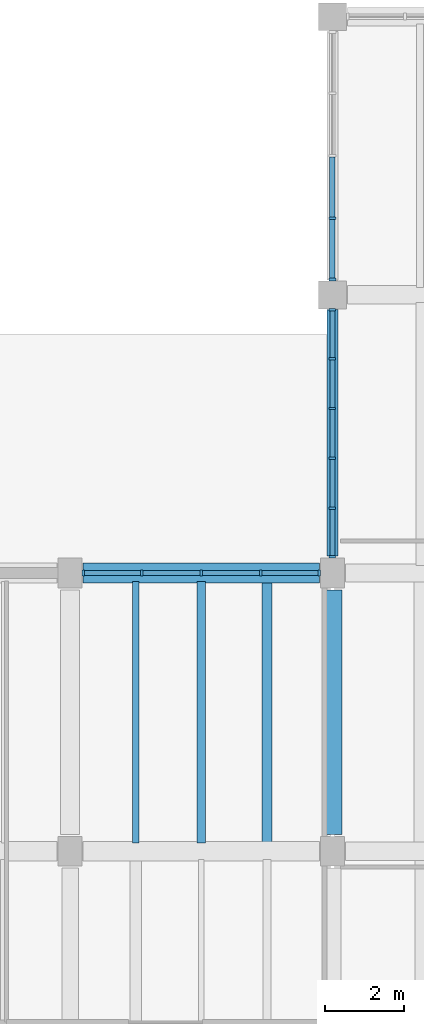
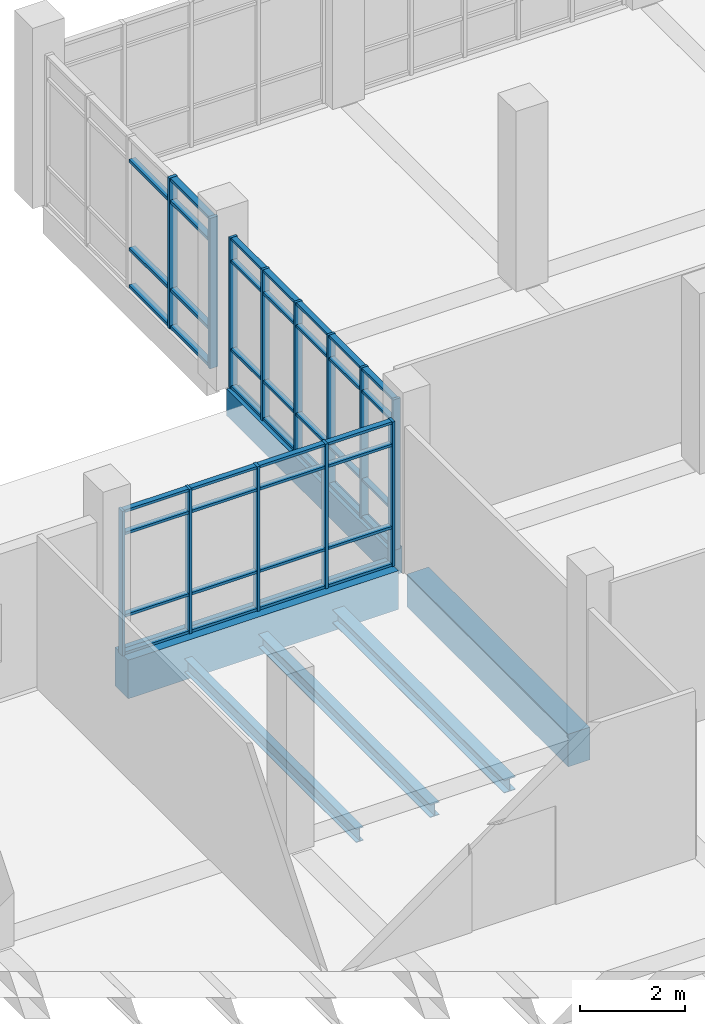
# One storey, part 6 of 69: 56 members, 6 beams, 3 elements without a shape of their own.
"""IFC4 building model written with IfcOpenShell, lengths in metres."""

from ifc_helpers import new_model, si_unit, direction, frame, origin, origin_2d, place, context, subcontext, project, spatial, rectangle, i_section, extrude, material, material_profile, profile_set, type_object, element, aggregate, save


model = new_model("IFC4")

# Units and contexts
model_context = context("Model", 3, precision=1e-05, world=origin(), true_north=direction((0.0, 1.0)))
body_context = subcontext(model_context, "Body", "Model", "MODEL_VIEW")
ifc_project = project(units=[si_unit("LENGTHUNIT", "METRE"), si_unit("AREAUNIT", "SQUARE_METRE"), si_unit("VOLUMEUNIT", "CUBIC_METRE"), si_unit("PLANEANGLEUNIT", "RADIAN"), si_unit("MASSUNIT", "GRAM", prefix="KILO")], contexts=[model_context])

# Site, building, storey
site_placement = place(None, origin())
site = spatial("IfcSite", under=ifc_project, at=site_placement, CompositionType="ELEMENT")
building_placement = place(site_placement, origin())
building = spatial("IfcBuilding", under=site, at=building_placement, Name="Ciguamira Faculty of Natural Sciences", CompositionType="ELEMENT")
storey_placement = place(building_placement, origin())
storey = spatial("IfcBuildingStorey", under=building, at=storey_placement, Name="L00", CompositionType="ELEMENT", Elevation=0.0)

# Curtain wall, members
ifc_material_1 = material(Name="Anodized aluminium curtain wall", Category="aluminium")
curtain_wall_type_1 = type_object("IfcCurtainWallType", Name="CurtainWall_CW-04", PredefinedType="USERDEFINED", material=ifc_material_1)
curtain_wall_1_placement = place(storey_placement, origin())
curtain_wall_1 = element("IfcCurtainWall", 1, at=curtain_wall_1_placement, inside=storey, type_object=curtain_wall_type_1, Name="L00 unitised curtain wall 0004", ObjectType="UNITISED CURTAIN WALL", PredefinedType="USERDEFINED")
ifc_material_2 = material(Name="Anodized aluminium mullion", Category="aluminium")
ifc_material_profile_1 = material_profile(ifc_material_2, rectangle(XDim=0.06005859375, YDim=0.159912109375, at=origin_2d()), Name="ALU-MUL-60X160")
ifc_profile_set_1 = profile_set([ifc_material_profile_1], Name="Anodized aluminium mullion")
member_type_1 = type_object("IfcMemberType", Name="CWMullion_CWM-01", PredefinedType="MULLION", material=ifc_profile_set_1)
member_1_placement = place(storey_placement, frame((44.429931640625, 24.0, 0.0), z_axis=(0.0, 0.0, 1.0), x_axis=(1.0, 0.0, 0.0)))
member_1 = element("IfcMember", 2, at=member_1_placement, type_object=member_type_1, Name="CW-04 mullion 1", PredefinedType="MULLION", context=body_context, shape_type="SweptSolid", body=[
    extrude(rectangle(XDim=0.06005859375, YDim=0.159912109375, at=origin_2d()), origin(), (0.0, 0.0, 1.0), 3.364990234375),
])
member_2_placement = place(storey_placement, frame((45.89990234375, 24.0, 0.0), z_axis=(0.0, 0.0, 1.0), x_axis=(1.0, 0.0, 0.0)))
member_2 = element("IfcMember", 3, at=member_2_placement, type_object=member_type_1, Name="CW-04 mullion 2", PredefinedType="MULLION", context=body_context, shape_type="SweptSolid", body=[
    extrude(rectangle(XDim=0.06005859375, YDim=0.159912109375, at=origin_2d()), origin(), (0.0, 0.0, 1.0), 3.364990234375),
])
member_3_placement = place(storey_placement, frame((47.39990234375, 24.0, 0.0), z_axis=(0.0, 0.0, 1.0), x_axis=(1.0, 0.0, 0.0)))
member_3 = element("IfcMember", 4, at=member_3_placement, type_object=member_type_1, Name="CW-04 mullion 3", PredefinedType="MULLION", context=body_context, shape_type="SweptSolid", body=[
    extrude(rectangle(XDim=0.06005859375, YDim=0.159912109375, at=origin_2d()), origin(), (0.0, 0.0, 1.0), 3.364990234375),
])
member_4_placement = place(storey_placement, frame((48.89990234375, 24.0, 0.0), z_axis=(0.0, 0.0, 1.0), x_axis=(1.0, 0.0, 0.0)))
member_4 = element("IfcMember", 5, at=member_4_placement, type_object=member_type_1, Name="CW-04 mullion 4", PredefinedType="MULLION", context=body_context, shape_type="SweptSolid", body=[
    extrude(rectangle(XDim=0.06005859375, YDim=0.159912109375, at=origin_2d()), origin(), (0.0, 0.0, 1.0), 3.364990234375),
])
member_5_placement = place(storey_placement, frame((50.3701171875, 24.0, 0.0), z_axis=(0.0, 0.0, 1.0), x_axis=(1.0, 0.0, 0.0)))
member_5 = element("IfcMember", 6, at=member_5_placement, type_object=member_type_1, Name="CW-04 mullion 5", PredefinedType="MULLION", context=body_context, shape_type="SweptSolid", body=[
    extrude(rectangle(XDim=0.06005859375, YDim=0.159912109375, at=origin_2d()), origin(), (0.0, 0.0, 1.0), 3.364990234375),
])

curtain_wall_type_2 = type_object("IfcCurtainWallType", Name="CurtainWall_CW-10", PredefinedType="USERDEFINED", material=ifc_material_1)
curtain_wall_2_placement = place(storey_placement, origin())
curtain_wall_2 = element("IfcCurtainWall", 7, at=curtain_wall_2_placement, inside=storey, type_object=curtain_wall_type_2, Name="L00 unitised curtain wall 0022", ObjectType="UNITISED CURTAIN WALL", PredefinedType="USERDEFINED")
member_6_placement = place(storey_placement, frame((50.699951171875, 24.405029296875, 0.0), z_axis=(0.0, 0.0, 1.0), x_axis=(0.0, 1.0, 0.0)))
member_6 = element("IfcMember", 8, at=member_6_placement, type_object=member_type_1, Name="CW-10 mullion 1", PredefinedType="MULLION", context=body_context, shape_type="SweptSolid", body=[
    extrude(rectangle(XDim=0.06005859375, YDim=0.159912109375, at=origin_2d()), origin(), (0.0, 0.0, 1.0), 3.5048828125),
])
member_7_placement = place(storey_placement, frame((50.699951171875, 25.6298828125, 0.0), z_axis=(0.0, 0.0, 1.0), x_axis=(0.0, 1.0, 0.0)))
member_7 = element("IfcMember", 9, at=member_7_placement, type_object=member_type_1, Name="CW-10 mullion 2", PredefinedType="MULLION", context=body_context, shape_type="SweptSolid", body=[
    extrude(rectangle(XDim=0.06005859375, YDim=0.159912109375, at=origin_2d()), origin(), (0.0, 0.0, 1.0), 3.5048828125),
])
member_8_placement = place(storey_placement, frame((50.699951171875, 26.885009765625, 0.0), z_axis=(0.0, 0.0, 1.0), x_axis=(0.0, 1.0, 0.0)))
member_8 = element("IfcMember", 10, at=member_8_placement, type_object=member_type_1, Name="CW-10 mullion 3", PredefinedType="MULLION", context=body_context, shape_type="SweptSolid", body=[
    extrude(rectangle(XDim=0.06005859375, YDim=0.159912109375, at=origin_2d()), origin(), (0.0, 0.0, 1.0), 3.5048828125),
])
member_9_placement = place(storey_placement, frame((50.699951171875, 28.139892578125, 0.0), z_axis=(0.0, 0.0, 1.0), x_axis=(0.0, 1.0, 0.0)))
member_9 = element("IfcMember", 11, at=member_9_placement, type_object=member_type_1, Name="CW-10 mullion 4", PredefinedType="MULLION", context=body_context, shape_type="SweptSolid", body=[
    extrude(rectangle(XDim=0.06005859375, YDim=0.159912109375, at=origin_2d()), origin(), (0.0, 0.0, 1.0), 3.5048828125),
])
member_10_placement = place(storey_placement, frame((50.699951171875, 29.39501953125, 0.0), z_axis=(0.0, 0.0, 1.0), x_axis=(0.0, 1.0, 0.0)))
member_10 = element("IfcMember", 12, at=member_10_placement, type_object=member_type_1, Name="CW-10 mullion 5", PredefinedType="MULLION", context=body_context, shape_type="SweptSolid", body=[
    extrude(rectangle(XDim=0.06005859375, YDim=0.159912109375, at=origin_2d()), origin(), (0.0, 0.0, 1.0), 3.5048828125),
])
member_11_placement = place(storey_placement, frame((50.699951171875, 30.6201171875, 0.0), z_axis=(0.0, 0.0, 1.0), x_axis=(0.0, 1.0, 0.0)))
member_11 = element("IfcMember", 13, at=member_11_placement, type_object=member_type_1, Name="CW-10 mullion 6", PredefinedType="MULLION", context=body_context, shape_type="SweptSolid", body=[
    extrude(rectangle(XDim=0.06005859375, YDim=0.159912109375, at=origin_2d()), origin(), (0.0, 0.0, 1.0), 3.5048828125),
])

curtain_wall_type_3 = type_object("IfcCurtainWallType", Name="CurtainWall_CW-11", PredefinedType="USERDEFINED", material=ifc_material_1)
curtain_wall_3_placement = place(storey_placement, origin())
curtain_wall_3 = element("IfcCurtainWall", 14, at=curtain_wall_3_placement, inside=storey, type_object=curtain_wall_type_3, Name="L00 unitised curtain wall 0023", ObjectType="UNITISED CURTAIN WALL", PredefinedType="USERDEFINED")
ifc_material_profile_2 = material_profile(ifc_material_2, rectangle(XDim=0.070068359375, YDim=0.179931640625, at=origin_2d()), Name="ALU-MUL-70X180")
ifc_profile_set_2 = profile_set([ifc_material_profile_2], Name="Anodized aluminium mullion")
member_type_2 = type_object("IfcMemberType", Name="CWMullion_CWM-02", PredefinedType="MULLION", material=ifc_profile_set_2)
member_12_placement = place(storey_placement, frame((50.699951171875, 31.385009765625, 0.0), z_axis=(0.0, 0.0, 1.0), x_axis=(0.0, 1.0, 0.0)))
member_12 = element("IfcMember", 15, at=member_12_placement, type_object=member_type_2, Name="CW-11 mullion 1", PredefinedType="MULLION", context=body_context, shape_type="SweptSolid", body=[
    extrude(rectangle(XDim=0.070068359375, YDim=0.179931640625, at=origin_2d()), origin(), (0.0, 0.0, 1.0), 3.5048828125),
])
member_13_placement = place(storey_placement, frame((50.699951171875, 32.925048828125, 0.0), z_axis=(0.0, 0.0, 1.0), x_axis=(0.0, 1.0, 0.0)))
member_13 = element("IfcMember", 16, at=member_13_placement, type_object=member_type_2, Name="CW-11 mullion 2", PredefinedType="MULLION", context=body_context, shape_type="SweptSolid", body=[
    extrude(rectangle(XDim=0.070068359375, YDim=0.179931640625, at=origin_2d()), origin(), (0.0, 0.0, 1.0), 3.5048828125),
])

# Member
ifc_material_3 = material(Name="Anodized aluminium transom", Category="aluminium")
ifc_material_profile_3 = material_profile(ifc_material_3, rectangle(XDim=0.06005859375, YDim=0.1201171875, at=origin_2d()), Name="ALU-TRN-60X120")
ifc_profile_set_3 = profile_set([ifc_material_profile_3], Name="Anodized aluminium transom")
member_type_3 = type_object("IfcMemberType", Name="CWTransom_CWT-01", PredefinedType="USERDEFINED", material=ifc_profile_set_3)
member_14_placement = place(storey_placement, frame((44.4599609375, 24.0, 0.030029296875), z_axis=(1.0, 0.0, 0.0), x_axis=(0.0, 0.0, 1.0)))
member_14 = element("IfcMember", 17, at=member_14_placement, type_object=member_type_3, Name="CW-04 transom 1.1", ObjectType="TRANSOM", PredefinedType="USERDEFINED", context=body_context, shape_type="SweptSolid", body=[
    extrude(rectangle(XDim=0.06005859375, YDim=0.1201171875, at=origin_2d()), origin(), (0.0, 0.0, 1.0), 1.41015625),
])

member_15_placement = place(storey_placement, frame((44.4599609375, 24.0, 0.89990234375), z_axis=(1.0, 0.0, 0.0), x_axis=(0.0, 0.0, 1.0)))
member_15 = element("IfcMember", 18, at=member_15_placement, type_object=member_type_3, Name="CW-04 transom 1.2", ObjectType="TRANSOM", PredefinedType="USERDEFINED", context=body_context, shape_type="SweptSolid", body=[
    extrude(rectangle(XDim=0.06005859375, YDim=0.1201171875, at=origin_2d()), origin(), (0.0, 0.0, 1.0), 1.41015625),
])

member_16_placement = place(storey_placement, frame((44.4599609375, 24.0, 2.81494140625), z_axis=(1.0, 0.0, 0.0), x_axis=(0.0, 0.0, 1.0)))
member_16 = element("IfcMember", 19, at=member_16_placement, type_object=member_type_3, Name="CW-04 transom 1.3", ObjectType="TRANSOM", PredefinedType="USERDEFINED", context=body_context, shape_type="SweptSolid", body=[
    extrude(rectangle(XDim=0.06005859375, YDim=0.1201171875, at=origin_2d()), origin(), (0.0, 0.0, 1.0), 1.41015625),
])

member_17_placement = place(storey_placement, frame((44.4599609375, 24.0, 3.3349609375), z_axis=(1.0, 0.0, 0.0), x_axis=(0.0, 0.0, 1.0)))
member_17 = element("IfcMember", 20, at=member_17_placement, type_object=member_type_3, Name="CW-04 transom 1.4", ObjectType="TRANSOM", PredefinedType="USERDEFINED", context=body_context, shape_type="SweptSolid", body=[
    extrude(rectangle(XDim=0.06005859375, YDim=0.1201171875, at=origin_2d()), origin(), (0.0, 0.0, 1.0), 1.41015625),
])

member_18_placement = place(storey_placement, frame((45.929931640625, 24.0, 0.030029296875), z_axis=(1.0, 0.0, 0.0), x_axis=(0.0, 0.0, 1.0)))
member_18 = element("IfcMember", 21, at=member_18_placement, type_object=member_type_3, Name="CW-04 transom 2.1", ObjectType="TRANSOM", PredefinedType="USERDEFINED", context=body_context, shape_type="SweptSolid", body=[
    extrude(rectangle(XDim=0.06005859375, YDim=0.1201171875, at=origin_2d()), origin(), (0.0, 0.0, 1.0), 1.440185546875),
])

member_19_placement = place(storey_placement, frame((45.929931640625, 24.0, 0.89990234375), z_axis=(1.0, 0.0, 0.0), x_axis=(0.0, 0.0, 1.0)))
member_19 = element("IfcMember", 22, at=member_19_placement, type_object=member_type_3, Name="CW-04 transom 2.2", ObjectType="TRANSOM", PredefinedType="USERDEFINED", context=body_context, shape_type="SweptSolid", body=[
    extrude(rectangle(XDim=0.06005859375, YDim=0.1201171875, at=origin_2d()), origin(), (0.0, 0.0, 1.0), 1.440185546875),
])

member_20_placement = place(storey_placement, frame((45.929931640625, 24.0, 2.81494140625), z_axis=(1.0, 0.0, 0.0), x_axis=(0.0, 0.0, 1.0)))
member_20 = element("IfcMember", 23, at=member_20_placement, type_object=member_type_3, Name="CW-04 transom 2.3", ObjectType="TRANSOM", PredefinedType="USERDEFINED", context=body_context, shape_type="SweptSolid", body=[
    extrude(rectangle(XDim=0.06005859375, YDim=0.1201171875, at=origin_2d()), origin(), (0.0, 0.0, 1.0), 1.440185546875),
])

member_21_placement = place(storey_placement, frame((45.929931640625, 24.0, 3.3349609375), z_axis=(1.0, 0.0, 0.0), x_axis=(0.0, 0.0, 1.0)))
member_21 = element("IfcMember", 24, at=member_21_placement, type_object=member_type_3, Name="CW-04 transom 2.4", ObjectType="TRANSOM", PredefinedType="USERDEFINED", context=body_context, shape_type="SweptSolid", body=[
    extrude(rectangle(XDim=0.06005859375, YDim=0.1201171875, at=origin_2d()), origin(), (0.0, 0.0, 1.0), 1.440185546875),
])

member_22_placement = place(storey_placement, frame((47.429931640625, 24.0, 0.030029296875), z_axis=(1.0, 0.0, 0.0), x_axis=(0.0, 0.0, 1.0)))
member_22 = element("IfcMember", 25, at=member_22_placement, type_object=member_type_3, Name="CW-04 transom 3.1", ObjectType="TRANSOM", PredefinedType="USERDEFINED", context=body_context, shape_type="SweptSolid", body=[
    extrude(rectangle(XDim=0.06005859375, YDim=0.1201171875, at=origin_2d()), origin(), (0.0, 0.0, 1.0), 1.440185546875),
])

member_23_placement = place(storey_placement, frame((47.429931640625, 24.0, 0.89990234375), z_axis=(1.0, 0.0, 0.0), x_axis=(0.0, 0.0, 1.0)))
member_23 = element("IfcMember", 26, at=member_23_placement, type_object=member_type_3, Name="CW-04 transom 3.2", ObjectType="TRANSOM", PredefinedType="USERDEFINED", context=body_context, shape_type="SweptSolid", body=[
    extrude(rectangle(XDim=0.06005859375, YDim=0.1201171875, at=origin_2d()), origin(), (0.0, 0.0, 1.0), 1.440185546875),
])

member_24_placement = place(storey_placement, frame((47.429931640625, 24.0, 2.81494140625), z_axis=(1.0, 0.0, 0.0), x_axis=(0.0, 0.0, 1.0)))
member_24 = element("IfcMember", 27, at=member_24_placement, type_object=member_type_3, Name="CW-04 transom 3.3", ObjectType="TRANSOM", PredefinedType="USERDEFINED", context=body_context, shape_type="SweptSolid", body=[
    extrude(rectangle(XDim=0.06005859375, YDim=0.1201171875, at=origin_2d()), origin(), (0.0, 0.0, 1.0), 1.440185546875),
])

member_25_placement = place(storey_placement, frame((47.429931640625, 24.0, 3.3349609375), z_axis=(1.0, 0.0, 0.0), x_axis=(0.0, 0.0, 1.0)))
member_25 = element("IfcMember", 28, at=member_25_placement, type_object=member_type_3, Name="CW-04 transom 3.4", ObjectType="TRANSOM", PredefinedType="USERDEFINED", context=body_context, shape_type="SweptSolid", body=[
    extrude(rectangle(XDim=0.06005859375, YDim=0.1201171875, at=origin_2d()), origin(), (0.0, 0.0, 1.0), 1.440185546875),
])

member_26_placement = place(storey_placement, frame((48.929931640625, 24.0, 0.030029296875), z_axis=(1.0, 0.0, 0.0), x_axis=(0.0, 0.0, 1.0)))
member_26 = element("IfcMember", 29, at=member_26_placement, type_object=member_type_3, Name="CW-04 transom 4.1", ObjectType="TRANSOM", PredefinedType="USERDEFINED", context=body_context, shape_type="SweptSolid", body=[
    extrude(rectangle(XDim=0.06005859375, YDim=0.1201171875, at=origin_2d()), origin(), (0.0, 0.0, 1.0), 1.41015625),
])

member_27_placement = place(storey_placement, frame((48.929931640625, 24.0, 0.89990234375), z_axis=(1.0, 0.0, 0.0), x_axis=(0.0, 0.0, 1.0)))
member_27 = element("IfcMember", 30, at=member_27_placement, type_object=member_type_3, Name="CW-04 transom 4.2", ObjectType="TRANSOM", PredefinedType="USERDEFINED", context=body_context, shape_type="SweptSolid", body=[
    extrude(rectangle(XDim=0.06005859375, YDim=0.1201171875, at=origin_2d()), origin(), (0.0, 0.0, 1.0), 1.41015625),
])

member_28_placement = place(storey_placement, frame((48.929931640625, 24.0, 2.81494140625), z_axis=(1.0, 0.0, 0.0), x_axis=(0.0, 0.0, 1.0)))
member_28 = element("IfcMember", 31, at=member_28_placement, type_object=member_type_3, Name="CW-04 transom 4.3", ObjectType="TRANSOM", PredefinedType="USERDEFINED", context=body_context, shape_type="SweptSolid", body=[
    extrude(rectangle(XDim=0.06005859375, YDim=0.1201171875, at=origin_2d()), origin(), (0.0, 0.0, 1.0), 1.41015625),
])

member_29_placement = place(storey_placement, frame((48.929931640625, 24.0, 3.3349609375), z_axis=(1.0, 0.0, 0.0), x_axis=(0.0, 0.0, 1.0)))
member_29 = element("IfcMember", 32, at=member_29_placement, type_object=member_type_3, Name="CW-04 transom 4.4", ObjectType="TRANSOM", PredefinedType="USERDEFINED", context=body_context, shape_type="SweptSolid", body=[
    extrude(rectangle(XDim=0.06005859375, YDim=0.1201171875, at=origin_2d()), origin(), (0.0, 0.0, 1.0), 1.41015625),
])

aggregate(curtain_wall_1, [member_1, member_2, member_3, member_4, member_5, member_14, member_15, member_16, member_17, member_18, member_19, member_20, member_21, member_22, member_23, member_24, member_25, member_26, member_27, member_28, member_29])

member_30_placement = place(storey_placement, frame((50.699951171875, 24.43505859375, 0.030029296875), z_axis=(0.0, 1.0, 0.0), x_axis=(0.0, 0.0, 1.0)))
member_30 = element("IfcMember", 33, at=member_30_placement, type_object=member_type_3, Name="CW-10 transom 1.1", ObjectType="TRANSOM", PredefinedType="USERDEFINED", context=body_context, shape_type="SweptSolid", body=[
    extrude(rectangle(XDim=0.06005859375, YDim=0.1201171875, at=origin_2d()), origin(), (0.0, 0.0, 1.0), 1.1650390625),
])

member_31_placement = place(storey_placement, frame((50.699951171875, 24.43505859375, 0.89990234375), z_axis=(0.0, 1.0, 0.0), x_axis=(0.0, 0.0, 1.0)))
member_31 = element("IfcMember", 34, at=member_31_placement, type_object=member_type_3, Name="CW-10 transom 1.2", ObjectType="TRANSOM", PredefinedType="USERDEFINED", context=body_context, shape_type="SweptSolid", body=[
    extrude(rectangle(XDim=0.06005859375, YDim=0.1201171875, at=origin_2d()), origin(), (0.0, 0.0, 1.0), 1.1650390625),
])

member_32_placement = place(storey_placement, frame((50.699951171875, 24.43505859375, 2.955078125), z_axis=(0.0, 1.0, 0.0), x_axis=(0.0, 0.0, 1.0)))
member_32 = element("IfcMember", 35, at=member_32_placement, type_object=member_type_3, Name="CW-10 transom 1.3", ObjectType="TRANSOM", PredefinedType="USERDEFINED", context=body_context, shape_type="SweptSolid", body=[
    extrude(rectangle(XDim=0.06005859375, YDim=0.1201171875, at=origin_2d()), origin(), (0.0, 0.0, 1.0), 1.1650390625),
])

member_33_placement = place(storey_placement, frame((50.699951171875, 24.43505859375, 3.47509765625), z_axis=(0.0, 1.0, 0.0), x_axis=(0.0, 0.0, 1.0)))
member_33 = element("IfcMember", 36, at=member_33_placement, type_object=member_type_3, Name="CW-10 transom 1.4", ObjectType="TRANSOM", PredefinedType="USERDEFINED", context=body_context, shape_type="SweptSolid", body=[
    extrude(rectangle(XDim=0.06005859375, YDim=0.1201171875, at=origin_2d()), origin(), (0.0, 0.0, 1.0), 1.1650390625),
])

member_34_placement = place(storey_placement, frame((50.699951171875, 25.659912109375, 0.030029296875), z_axis=(0.0, 1.0, 0.0), x_axis=(0.0, 0.0, 1.0)))
member_34 = element("IfcMember", 37, at=member_34_placement, type_object=member_type_3, Name="CW-10 transom 2.1", ObjectType="TRANSOM", PredefinedType="USERDEFINED", context=body_context, shape_type="SweptSolid", body=[
    extrude(rectangle(XDim=0.06005859375, YDim=0.1201171875, at=origin_2d()), origin(), (0.0, 0.0, 1.0), 1.195068359375),
])

member_35_placement = place(storey_placement, frame((50.699951171875, 25.659912109375, 0.89990234375), z_axis=(0.0, 1.0, 0.0), x_axis=(0.0, 0.0, 1.0)))
member_35 = element("IfcMember", 38, at=member_35_placement, type_object=member_type_3, Name="CW-10 transom 2.2", ObjectType="TRANSOM", PredefinedType="USERDEFINED", context=body_context, shape_type="SweptSolid", body=[
    extrude(rectangle(XDim=0.06005859375, YDim=0.1201171875, at=origin_2d()), origin(), (0.0, 0.0, 1.0), 1.195068359375),
])

member_36_placement = place(storey_placement, frame((50.699951171875, 25.659912109375, 2.955078125), z_axis=(0.0, 1.0, 0.0), x_axis=(0.0, 0.0, 1.0)))
member_36 = element("IfcMember", 39, at=member_36_placement, type_object=member_type_3, Name="CW-10 transom 2.3", ObjectType="TRANSOM", PredefinedType="USERDEFINED", context=body_context, shape_type="SweptSolid", body=[
    extrude(rectangle(XDim=0.06005859375, YDim=0.1201171875, at=origin_2d()), origin(), (0.0, 0.0, 1.0), 1.195068359375),
])

member_37_placement = place(storey_placement, frame((50.699951171875, 25.659912109375, 3.47509765625), z_axis=(0.0, 1.0, 0.0), x_axis=(0.0, 0.0, 1.0)))
member_37 = element("IfcMember", 40, at=member_37_placement, type_object=member_type_3, Name="CW-10 transom 2.4", ObjectType="TRANSOM", PredefinedType="USERDEFINED", context=body_context, shape_type="SweptSolid", body=[
    extrude(rectangle(XDim=0.06005859375, YDim=0.1201171875, at=origin_2d()), origin(), (0.0, 0.0, 1.0), 1.195068359375),
])

member_38_placement = place(storey_placement, frame((50.699951171875, 26.9150390625, 0.030029296875), z_axis=(0.0, 1.0, 0.0), x_axis=(0.0, 0.0, 1.0)))
member_38 = element("IfcMember", 41, at=member_38_placement, type_object=member_type_3, Name="CW-10 transom 3.1", ObjectType="TRANSOM", PredefinedType="USERDEFINED", context=body_context, shape_type="SweptSolid", body=[
    extrude(rectangle(XDim=0.06005859375, YDim=0.1201171875, at=origin_2d()), origin(), (0.0, 0.0, 1.0), 1.195068359375),
])

member_39_placement = place(storey_placement, frame((50.699951171875, 26.9150390625, 0.89990234375), z_axis=(0.0, 1.0, 0.0), x_axis=(0.0, 0.0, 1.0)))
member_39 = element("IfcMember", 42, at=member_39_placement, type_object=member_type_3, Name="CW-10 transom 3.2", ObjectType="TRANSOM", PredefinedType="USERDEFINED", context=body_context, shape_type="SweptSolid", body=[
    extrude(rectangle(XDim=0.06005859375, YDim=0.1201171875, at=origin_2d()), origin(), (0.0, 0.0, 1.0), 1.195068359375),
])

member_40_placement = place(storey_placement, frame((50.699951171875, 26.9150390625, 2.955078125), z_axis=(0.0, 1.0, 0.0), x_axis=(0.0, 0.0, 1.0)))
member_40 = element("IfcMember", 43, at=member_40_placement, type_object=member_type_3, Name="CW-10 transom 3.3", ObjectType="TRANSOM", PredefinedType="USERDEFINED", context=body_context, shape_type="SweptSolid", body=[
    extrude(rectangle(XDim=0.06005859375, YDim=0.1201171875, at=origin_2d()), origin(), (0.0, 0.0, 1.0), 1.195068359375),
])

member_41_placement = place(storey_placement, frame((50.699951171875, 26.9150390625, 3.47509765625), z_axis=(0.0, 1.0, 0.0), x_axis=(0.0, 0.0, 1.0)))
member_41 = element("IfcMember", 44, at=member_41_placement, type_object=member_type_3, Name="CW-10 transom 3.4", ObjectType="TRANSOM", PredefinedType="USERDEFINED", context=body_context, shape_type="SweptSolid", body=[
    extrude(rectangle(XDim=0.06005859375, YDim=0.1201171875, at=origin_2d()), origin(), (0.0, 0.0, 1.0), 1.195068359375),
])

member_42_placement = place(storey_placement, frame((50.699951171875, 28.169921875, 0.030029296875), z_axis=(0.0, 1.0, 0.0), x_axis=(0.0, 0.0, 1.0)))
member_42 = element("IfcMember", 45, at=member_42_placement, type_object=member_type_3, Name="CW-10 transom 4.1", ObjectType="TRANSOM", PredefinedType="USERDEFINED", context=body_context, shape_type="SweptSolid", body=[
    extrude(rectangle(XDim=0.06005859375, YDim=0.1201171875, at=origin_2d()), origin(), (0.0, 0.0, 1.0), 1.195068359375),
])

member_43_placement = place(storey_placement, frame((50.699951171875, 28.169921875, 0.89990234375), z_axis=(0.0, 1.0, 0.0), x_axis=(0.0, 0.0, 1.0)))
member_43 = element("IfcMember", 46, at=member_43_placement, type_object=member_type_3, Name="CW-10 transom 4.2", ObjectType="TRANSOM", PredefinedType="USERDEFINED", context=body_context, shape_type="SweptSolid", body=[
    extrude(rectangle(XDim=0.06005859375, YDim=0.1201171875, at=origin_2d()), origin(), (0.0, 0.0, 1.0), 1.195068359375),
])

member_44_placement = place(storey_placement, frame((50.699951171875, 28.169921875, 2.955078125), z_axis=(0.0, 1.0, 0.0), x_axis=(0.0, 0.0, 1.0)))
member_44 = element("IfcMember", 47, at=member_44_placement, type_object=member_type_3, Name="CW-10 transom 4.3", ObjectType="TRANSOM", PredefinedType="USERDEFINED", context=body_context, shape_type="SweptSolid", body=[
    extrude(rectangle(XDim=0.06005859375, YDim=0.1201171875, at=origin_2d()), origin(), (0.0, 0.0, 1.0), 1.195068359375),
])

member_45_placement = place(storey_placement, frame((50.699951171875, 28.169921875, 3.47509765625), z_axis=(0.0, 1.0, 0.0), x_axis=(0.0, 0.0, 1.0)))
member_45 = element("IfcMember", 48, at=member_45_placement, type_object=member_type_3, Name="CW-10 transom 4.4", ObjectType="TRANSOM", PredefinedType="USERDEFINED", context=body_context, shape_type="SweptSolid", body=[
    extrude(rectangle(XDim=0.06005859375, YDim=0.1201171875, at=origin_2d()), origin(), (0.0, 0.0, 1.0), 1.195068359375),
])

member_46_placement = place(storey_placement, frame((50.699951171875, 29.425048828125, 0.030029296875), z_axis=(0.0, 1.0, 0.0), x_axis=(0.0, 0.0, 1.0)))
member_46 = element("IfcMember", 49, at=member_46_placement, type_object=member_type_3, Name="CW-10 transom 5.1", ObjectType="TRANSOM", PredefinedType="USERDEFINED", context=body_context, shape_type="SweptSolid", body=[
    extrude(rectangle(XDim=0.06005859375, YDim=0.1201171875, at=origin_2d()), origin(), (0.0, 0.0, 1.0), 1.1650390625),
])

member_47_placement = place(storey_placement, frame((50.699951171875, 29.425048828125, 0.89990234375), z_axis=(0.0, 1.0, 0.0), x_axis=(0.0, 0.0, 1.0)))
member_47 = element("IfcMember", 50, at=member_47_placement, type_object=member_type_3, Name="CW-10 transom 5.2", ObjectType="TRANSOM", PredefinedType="USERDEFINED", context=body_context, shape_type="SweptSolid", body=[
    extrude(rectangle(XDim=0.06005859375, YDim=0.1201171875, at=origin_2d()), origin(), (0.0, 0.0, 1.0), 1.1650390625),
])

member_48_placement = place(storey_placement, frame((50.699951171875, 29.425048828125, 2.955078125), z_axis=(0.0, 1.0, 0.0), x_axis=(0.0, 0.0, 1.0)))
member_48 = element("IfcMember", 51, at=member_48_placement, type_object=member_type_3, Name="CW-10 transom 5.3", ObjectType="TRANSOM", PredefinedType="USERDEFINED", context=body_context, shape_type="SweptSolid", body=[
    extrude(rectangle(XDim=0.06005859375, YDim=0.1201171875, at=origin_2d()), origin(), (0.0, 0.0, 1.0), 1.1650390625),
])

member_49_placement = place(storey_placement, frame((50.699951171875, 29.425048828125, 3.47509765625), z_axis=(0.0, 1.0, 0.0), x_axis=(0.0, 0.0, 1.0)))
member_49 = element("IfcMember", 52, at=member_49_placement, type_object=member_type_3, Name="CW-10 transom 5.4", ObjectType="TRANSOM", PredefinedType="USERDEFINED", context=body_context, shape_type="SweptSolid", body=[
    extrude(rectangle(XDim=0.06005859375, YDim=0.1201171875, at=origin_2d()), origin(), (0.0, 0.0, 1.0), 1.1650390625),
])

aggregate(curtain_wall_2, [member_6, member_7, member_8, member_9, member_10, member_11, member_30, member_31, member_32, member_33, member_34, member_35, member_36, member_37, member_38, member_39, member_40, member_41, member_42, member_43, member_44, member_45, member_46, member_47, member_48, member_49])

ifc_material_profile_4 = material_profile(ifc_material_3, rectangle(XDim=0.070068359375, YDim=0.139892578125, at=origin_2d()), Name="ALU-TRN-70X140")
ifc_profile_set_4 = profile_set([ifc_material_profile_4], Name="Anodized aluminium transom")
member_type_4 = type_object("IfcMemberType", Name="CWTransom_CWT-02", PredefinedType="USERDEFINED", material=ifc_profile_set_4)
member_50_placement = place(storey_placement, frame((50.699951171875, 31.419921875, 0.034912109375), z_axis=(0.0, 1.0, 0.0), x_axis=(0.0, 0.0, 1.0)))
member_50 = element("IfcMember", 53, at=member_50_placement, type_object=member_type_4, Name="CW-11 transom 1.1", ObjectType="TRANSOM", PredefinedType="USERDEFINED", context=body_context, shape_type="SweptSolid", body=[
    extrude(rectangle(XDim=0.070068359375, YDim=0.139892578125, at=origin_2d()), origin(), (0.0, 0.0, 1.0), 1.469970703125),
])

member_51_placement = place(storey_placement, frame((50.699951171875, 31.419921875, 0.89990234375), z_axis=(0.0, 1.0, 0.0), x_axis=(0.0, 0.0, 1.0)))
member_51 = element("IfcMember", 54, at=member_51_placement, type_object=member_type_4, Name="CW-11 transom 1.2", ObjectType="TRANSOM", PredefinedType="USERDEFINED", context=body_context, shape_type="SweptSolid", body=[
    extrude(rectangle(XDim=0.070068359375, YDim=0.139892578125, at=origin_2d()), origin(), (0.0, 0.0, 1.0), 1.469970703125),
])

member_52_placement = place(storey_placement, frame((50.699951171875, 31.419921875, 2.955078125), z_axis=(0.0, 1.0, 0.0), x_axis=(0.0, 0.0, 1.0)))
member_52 = element("IfcMember", 55, at=member_52_placement, type_object=member_type_4, Name="CW-11 transom 1.3", ObjectType="TRANSOM", PredefinedType="USERDEFINED", context=body_context, shape_type="SweptSolid", body=[
    extrude(rectangle(XDim=0.070068359375, YDim=0.139892578125, at=origin_2d()), origin(), (0.0, 0.0, 1.0), 1.469970703125),
])

member_53_placement = place(storey_placement, frame((50.699951171875, 31.419921875, 3.469970703125), z_axis=(0.0, 1.0, 0.0), x_axis=(0.0, 0.0, 1.0)))
member_53 = element("IfcMember", 56, at=member_53_placement, type_object=member_type_4, Name="CW-11 transom 1.4", ObjectType="TRANSOM", PredefinedType="USERDEFINED", context=body_context, shape_type="SweptSolid", body=[
    extrude(rectangle(XDim=0.070068359375, YDim=0.139892578125, at=origin_2d()), origin(), (0.0, 0.0, 1.0), 1.469970703125),
])

member_54_placement = place(storey_placement, frame((50.699951171875, 32.9599609375, 0.034912109375), z_axis=(0.0, 1.0, 0.0), x_axis=(0.0, 0.0, 1.0)))
member_54 = element("IfcMember", 57, at=member_54_placement, type_object=member_type_4, Name="CW-11 transom 2.1", ObjectType="TRANSOM", PredefinedType="USERDEFINED", context=body_context, shape_type="SweptSolid", body=[
    extrude(rectangle(XDim=0.070068359375, YDim=0.139892578125, at=origin_2d()), origin(), (0.0, 0.0, 1.0), 1.505126953125),
])

member_55_placement = place(storey_placement, frame((50.699951171875, 32.9599609375, 0.89990234375), z_axis=(0.0, 1.0, 0.0), x_axis=(0.0, 0.0, 1.0)))
member_55 = element("IfcMember", 58, at=member_55_placement, type_object=member_type_4, Name="CW-11 transom 2.2", ObjectType="TRANSOM", PredefinedType="USERDEFINED", context=body_context, shape_type="SweptSolid", body=[
    extrude(rectangle(XDim=0.070068359375, YDim=0.139892578125, at=origin_2d()), origin(), (0.0, 0.0, 1.0), 1.505126953125),
])

member_56_placement = place(storey_placement, frame((50.699951171875, 32.9599609375, 2.955078125), z_axis=(0.0, 1.0, 0.0), x_axis=(0.0, 0.0, 1.0)))
member_56 = element("IfcMember", 59, at=member_56_placement, type_object=member_type_4, Name="CW-11 transom 2.3", ObjectType="TRANSOM", PredefinedType="USERDEFINED", context=body_context, shape_type="SweptSolid", body=[
    extrude(rectangle(XDim=0.070068359375, YDim=0.139892578125, at=origin_2d()), origin(), (0.0, 0.0, 1.0), 1.505126953125),
])

aggregate(curtain_wall_3, [member_12, member_13, member_50, member_51, member_52, member_53, member_54, member_55, member_56])

# Beams
ifc_material_4 = material(Name="Concrete C40/50", Category="concrete")
ifc_material_profile_5 = material_profile(ifc_material_4, rectangle(XDim=0.5, YDim=0.89990234375, at=origin_2d()), Name="RC-BM-500X900")
ifc_profile_set_5 = profile_set([ifc_material_profile_5], Name="Concrete C40/50")
beam_type_1 = type_object("IfcBeamType", Name="RCBeam_BG-03_RC-BM-500X900", PredefinedType="BEAM", material=ifc_profile_set_5)
beam_1_placement = place(storey_placement, frame((44.425048828125, 24.0, -0.449951171875), z_axis=(1.0, 0.0, 0.0), x_axis=(0.0, 1.0, 0.0)))
element("IfcBeam", 60, at=beam_1_placement, inside=storey, type_object=beam_type_1, Name="L00 RC girder EW-0064", PredefinedType="BEAM", context=body_context, shape_type="SweptSolid", body=[
    extrude(rectangle(XDim=0.5, YDim=0.89990234375, at=origin_2d()), origin(), (0.0, 0.0, 1.0), 5.949951171875),
])
ifc_material_5 = material(Name="Precast concrete C40/50", Category="concrete")
ifc_material_profile_6 = material_profile(ifc_material_5, rectangle(XDim=0.280029296875, YDim=0.6201171875, at=origin_2d()), Name="RC-SP-280X620")
ifc_profile_set_6 = profile_set([ifc_material_profile_6], Name="Precast concrete C40/50")
beam_type_2 = type_object("IfcBeamType", Name="RCBeam_SP-01_RC-SP-280X620", PredefinedType="SPANDREL", material=ifc_profile_set_6)
beam_2_placement = place(storey_placement, frame((50.699951171875, 24.425048828125, -0.31005859375), z_axis=(0.0, 1.0, 0.0), x_axis=(-1.0, 0.0, 0.0)))
element("IfcBeam", 61, at=beam_2_placement, inside=storey, type_object=beam_type_2, Name="L00 girder NS-0216", PredefinedType="SPANDREL", context=body_context, shape_type="SweptSolid", body=[
    extrude(rectangle(XDim=0.280029296875, YDim=0.6201171875, at=origin_2d()), origin(), (0.0, 0.0, 1.0), 6.199951171875),
])
ifc_material_profile_7 = material_profile(ifc_material_4, rectangle(XDim=0.47998046875, YDim=0.760009765625, at=origin_2d()), Name="RC-TB-480X760")
ifc_profile_set_7 = profile_set([ifc_material_profile_7], Name="Concrete C40/50")
beam_type_3 = type_object("IfcBeamType", Name="RCBeam_TB-01_RC-TB-480X760", PredefinedType="T_BEAM", material=ifc_profile_set_7)
beam_3_placement = place(storey_placement, frame((50.699951171875, 17.425048828125, -0.3798828125), z_axis=(0.0, 1.0, 0.0), x_axis=(-1.0, 0.0, 0.0)))
element("IfcBeam", 62, at=beam_3_placement, inside=storey, type_object=beam_type_3, Name="L00 girder NS-0215", PredefinedType="T_BEAM", context=body_context, shape_type="SweptSolid", body=[
    extrude(rectangle(XDim=0.47998046875, YDim=0.760009765625, at=origin_2d()), origin(), (0.0, 0.0, 1.0), 6.14990234375),
])
ifc_material_6 = material(Name="Steel ASTM A992 Grade 50", Category="steel")
ifc_material_profile_8 = material_profile(ifc_material_6, i_section(OverallWidth=0.16650390625, OverallDepth=0.3173828125, WebThickness=0.007568359375, FlangeThickness=0.01318359375, at=origin_2d()), Name="W12X35")
ifc_profile_set_8 = profile_set([ifc_material_profile_8], Name="Steel ASTM A992 Grade 50")
beam_type_4 = type_object("IfcBeamType", Name="SteelJoist_SJ-05_W12X35", PredefinedType="JOIST", material=ifc_profile_set_8)
beam_4_placement = place(storey_placement, frame((45.75, 17.2099609375, -0.558837890625), z_axis=(0.0, 1.0, 0.0), x_axis=(-1.0, 0.0, 0.0)))
element("IfcBeam", 63, at=beam_4_placement, inside=storey, type_object=beam_type_4, Name="L00 composite steel joist 00054", PredefinedType="JOIST", context=body_context, shape_type="SweptSolid", body=[
    extrude(i_section(OverallWidth=0.16650390625, OverallDepth=0.3173828125, WebThickness=0.007568359375, FlangeThickness=0.01318359375, at=origin_2d()), origin(), (0.0, 0.0, 1.0), 6.580078125),
])
ifc_material_profile_9 = material_profile(ifc_material_6, i_section(OverallWidth=0.20458984375, OverallDepth=0.307373046875, WebThickness=0.008544921875, FlangeThickness=0.0146484375, at=origin_2d()), Name="W12X45")
ifc_profile_set_9 = profile_set([ifc_material_profile_9], Name="Steel ASTM A992 Grade 50")
beam_type_5 = type_object("IfcBeamType", Name="SteelJoist_SJ-06_W12X45", PredefinedType="JOIST", material=ifc_profile_set_9)
beam_5_placement = place(storey_placement, frame((47.39990234375, 17.2099609375, -0.5537109375), z_axis=(0.0, 1.0, 0.0), x_axis=(-1.0, 0.0, 0.0)))
element("IfcBeam", 64, at=beam_5_placement, inside=storey, type_object=beam_type_5, Name="L00 composite steel joist 00055", PredefinedType="JOIST", context=body_context, shape_type="SweptSolid", body=[
    extrude(i_section(OverallWidth=0.20458984375, OverallDepth=0.307373046875, WebThickness=0.008544921875, FlangeThickness=0.0146484375, at=origin_2d()), origin(), (0.0, 0.0, 1.0), 6.580078125),
])
ifc_material_profile_10 = material_profile(ifc_material_6, i_section(OverallWidth=0.25390625, OverallDepth=0.307373046875, WebThickness=0.0087890625, FlangeThickness=0.0146484375, at=origin_2d()), Name="W12X53")
ifc_profile_set_10 = profile_set([ifc_material_profile_10], Name="Steel ASTM A992 Grade 50")
beam_type_6 = type_object("IfcBeamType", Name="SteelJoist_SJ-07_W12X53", PredefinedType="JOIST", material=ifc_profile_set_10)
beam_6_placement = place(storey_placement, frame((49.050048828125, 17.2099609375, -0.5537109375), z_axis=(0.0, 1.0, 0.0), x_axis=(-1.0, 0.0, 0.0)))
element("IfcBeam", 65, at=beam_6_placement, inside=storey, type_object=beam_type_6, Name="L00 composite steel joist 00056", PredefinedType="JOIST", context=body_context, shape_type="SweptSolid", body=[
    extrude(i_section(OverallWidth=0.25390625, OverallDepth=0.307373046875, WebThickness=0.0087890625, FlangeThickness=0.0146484375, at=origin_2d()), origin(), (0.0, 0.0, 1.0), 6.580078125),
])

save(model, "model.ifc")
